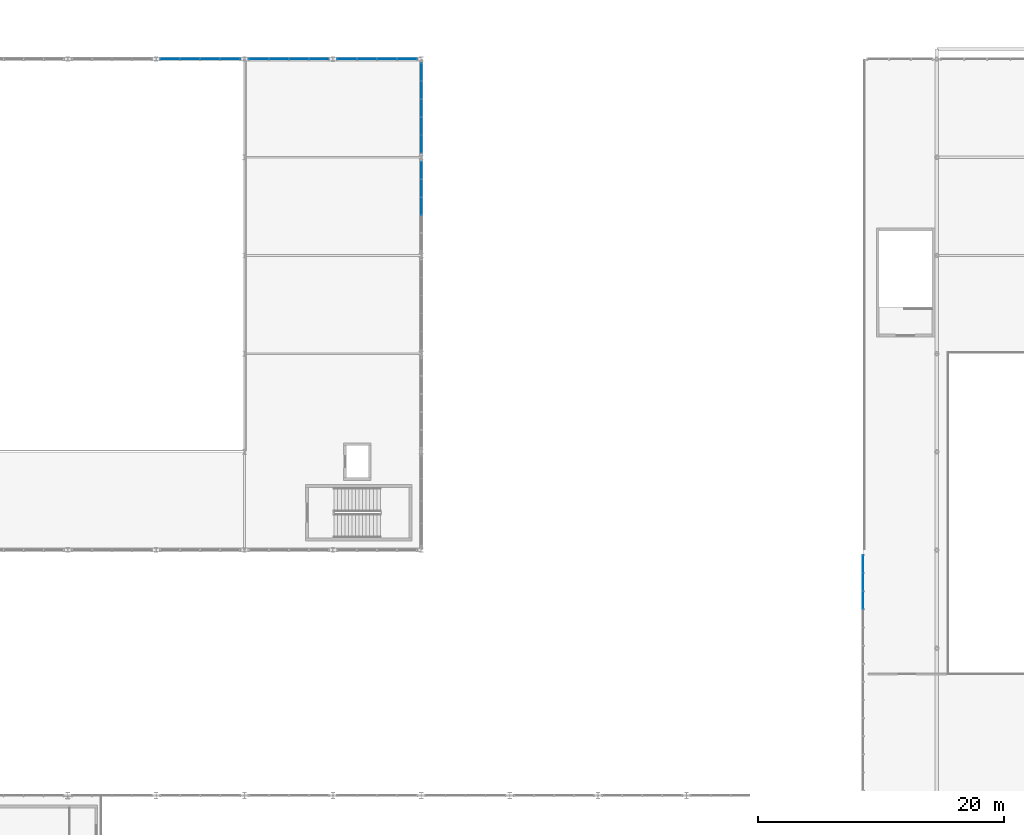
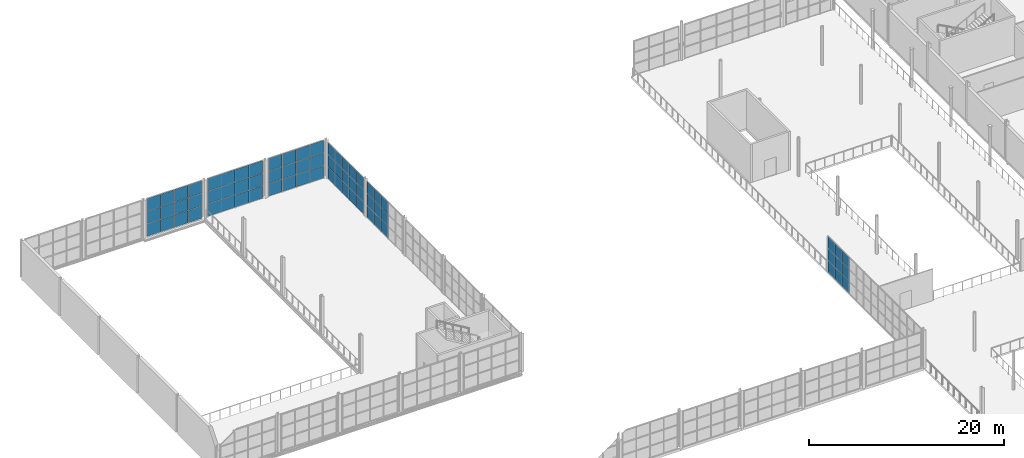
# One storey, part 113 of 143: 69 plates, 6 elements without a shape of their own.
"""IFC4 building model written with IfcOpenShell, lengths in metres."""

from ifc_helpers import new_model, si_unit, derived_unit, direction, frame, origin, origin_2d, place, context, subcontext, project, spatial, rectangle, extrude, material, layer, layer_set, type_object, element, aggregate, save


model = new_model("IFC4")

# Units and contexts
model_context = context("Model", 3, precision=1e-05, world=origin(), true_north=direction((0.0, 1.0)))
body_context = subcontext(model_context, "Body", "Model", "MODEL_VIEW")
ifc_project = project(units=[si_unit("LENGTHUNIT", "METRE"), si_unit("AREAUNIT", "SQUARE_METRE"), si_unit("VOLUMEUNIT", "CUBIC_METRE"), si_unit("PLANEANGLEUNIT", "RADIAN"), si_unit("MASSUNIT", "GRAM", prefix="KILO"), derived_unit("THERMALTRANSMITTANCEUNIT", [(si_unit("POWERUNIT", "WATT"), 1), (si_unit("LENGTHUNIT", "METRE"), -2), (si_unit("THERMODYNAMICTEMPERATUREUNIT", "KELVIN"), -1)])], contexts=[model_context])

# Site, building, storey
site_placement = place(None, origin())
site = spatial("IfcSite", under=ifc_project, at=site_placement, CompositionType="ELEMENT")
building_placement = place(site_placement, origin())
building = spatial("IfcBuilding", under=site, at=building_placement, Name="Keldorne Ridge Multi-Sports Centre", CompositionType="ELEMENT")
storey_placement = place(building_placement, frame((0.0, 0.0, 4.800048828125)))
storey = spatial("IfcBuildingStorey", under=building, at=storey_placement, Name="L01", CompositionType="ELEMENT", Elevation=4.800048828125)

# Curtain wall, plates
ifc_material_1 = material(Name="Anodized aluminium", Category="aluminium")
curtain_wall_type_1 = type_object("IfcCurtainWallType", Name="CW-CW-04", PredefinedType="NOTDEFINED", material=ifc_material_1)
curtain_wall_1_placement = place(storey_placement, origin())
curtain_wall_1 = element("IfcCurtainWall", 1, at=curtain_wall_1_placement, inside=storey, type_object=curtain_wall_type_1, Name="Climbing east courtyard glazing L01 068", PredefinedType="NOTDEFINED")
ifc_material_2 = material(Name="Double low-e insulated glazing", Category="glass")
ifc_layer_1 = layer(ifc_material_2, 0.035888671875)
ifc_layer_set_1 = layer_set([ifc_layer_1])
plate_type_1 = type_object("IfcPlateType", Name="PLT-GL-01", PredefinedType="CURTAIN_PANEL", material=ifc_layer_set_1)
plate_1_placement = place(storey_placement, frame((42.0, 102.0, 0.02001953125), z_axis=(0.0, 0.0, 1.0), x_axis=(0.0, 1.0, 0.0)))
plate_1 = element("IfcPlate", 2, at=plate_1_placement, type_object=plate_type_1, Name="CW-068 glazed panel 3.1", PredefinedType="CURTAIN_PANEL", context=body_context, shape_type="SweptSolid", body=[
    extrude(rectangle(XDim=1.424072265625, YDim=0.035888671875, at=origin_2d()), origin(), (0.0, 0.0, 1.0), 1.476806640625),
])
plate_2_placement = place(storey_placement, frame((42.0, 102.0, 1.53662109375), z_axis=(0.0, 0.0, 1.0), x_axis=(0.0, 1.0, 0.0)))
plate_2 = element("IfcPlate", 3, at=plate_2_placement, type_object=plate_type_1, Name="CW-068 glazed panel 3.2", PredefinedType="CURTAIN_PANEL", context=body_context, shape_type="SweptSolid", body=[
    extrude(rectangle(XDim=1.424072265625, YDim=0.035888671875, at=origin_2d()), origin(), (0.0, 0.0, 1.0), 1.476806640625),
])
plate_3_placement = place(storey_placement, frame((42.0, 102.0, 3.05322265625), z_axis=(0.0, 0.0, 1.0), x_axis=(0.0, 1.0, 0.0)))
plate_3 = element("IfcPlate", 4, at=plate_3_placement, type_object=plate_type_1, Name="CW-068 glazed panel 3.3", PredefinedType="CURTAIN_PANEL", context=body_context, shape_type="SweptSolid", body=[
    extrude(rectangle(XDim=1.424072265625, YDim=0.035888671875, at=origin_2d()), origin(), (0.0, 0.0, 1.0), 1.476806640625),
])
plate_4_placement = place(storey_placement, frame((42.0, 103.464111328125, 0.02001953125), z_axis=(0.0, 0.0, 1.0), x_axis=(0.0, 1.0, 0.0)))
plate_4 = element("IfcPlate", 5, at=plate_4_placement, type_object=plate_type_1, Name="CW-068 glazed panel 4.1", PredefinedType="CURTAIN_PANEL", context=body_context, shape_type="SweptSolid", body=[
    extrude(rectangle(XDim=1.424072265625, YDim=0.035888671875, at=origin_2d()), origin(), (0.0, 0.0, 1.0), 1.476806640625),
])
plate_5_placement = place(storey_placement, frame((42.0, 103.464111328125, 1.53662109375), z_axis=(0.0, 0.0, 1.0), x_axis=(0.0, 1.0, 0.0)))
plate_5 = element("IfcPlate", 6, at=plate_5_placement, type_object=plate_type_1, Name="CW-068 glazed panel 4.2", PredefinedType="CURTAIN_PANEL", context=body_context, shape_type="SweptSolid", body=[
    extrude(rectangle(XDim=1.424072265625, YDim=0.035888671875, at=origin_2d()), origin(), (0.0, 0.0, 1.0), 1.476806640625),
])
plate_6_placement = place(storey_placement, frame((42.0, 103.464111328125, 3.05322265625), z_axis=(0.0, 0.0, 1.0), x_axis=(0.0, 1.0, 0.0)))
plate_6 = element("IfcPlate", 7, at=plate_6_placement, type_object=plate_type_1, Name="CW-068 glazed panel 4.3", PredefinedType="CURTAIN_PANEL", context=body_context, shape_type="SweptSolid", body=[
    extrude(rectangle(XDim=1.424072265625, YDim=0.035888671875, at=origin_2d()), origin(), (0.0, 0.0, 1.0), 1.476806640625),
])
plate_7_placement = place(storey_placement, frame((42.0, 104.927978515625, 0.02001953125), z_axis=(0.0, 0.0, 1.0), x_axis=(0.0, 1.0, 0.0)))
plate_7 = element("IfcPlate", 8, at=plate_7_placement, type_object=plate_type_1, Name="CW-068 glazed panel 5.1", PredefinedType="CURTAIN_PANEL", context=body_context, shape_type="SweptSolid", body=[
    extrude(rectangle(XDim=1.424072265625, YDim=0.035888671875, at=origin_2d()), origin(), (0.0, 0.0, 1.0), 1.476806640625),
])
plate_8_placement = place(storey_placement, frame((42.0, 104.927978515625, 1.53662109375), z_axis=(0.0, 0.0, 1.0), x_axis=(0.0, 1.0, 0.0)))
plate_8 = element("IfcPlate", 9, at=plate_8_placement, type_object=plate_type_1, Name="CW-068 glazed panel 5.2", PredefinedType="CURTAIN_PANEL", context=body_context, shape_type="SweptSolid", body=[
    extrude(rectangle(XDim=1.424072265625, YDim=0.035888671875, at=origin_2d()), origin(), (0.0, 0.0, 1.0), 1.476806640625),
])
plate_9_placement = place(storey_placement, frame((42.0, 104.927978515625, 3.05322265625), z_axis=(0.0, 0.0, 1.0), x_axis=(0.0, 1.0, 0.0)))
plate_9 = element("IfcPlate", 10, at=plate_9_placement, type_object=plate_type_1, Name="CW-068 glazed panel 5.3", PredefinedType="CURTAIN_PANEL", context=body_context, shape_type="SweptSolid", body=[
    extrude(rectangle(XDim=1.424072265625, YDim=0.035888671875, at=origin_2d()), origin(), (0.0, 0.0, 1.0), 1.476806640625),
])
aggregate(curtain_wall_1, [plate_1, plate_2, plate_3, plate_4, plate_5, plate_6, plate_7, plate_8, plate_9])

curtain_wall_type_2 = type_object("IfcCurtainWallType", Name="CW-CW-07", PredefinedType="NOTDEFINED", material=ifc_material_1)
curtain_wall_2_placement = place(storey_placement, origin())
curtain_wall_2 = element("IfcCurtainWall", 11, at=curtain_wall_2_placement, inside=storey, type_object=curtain_wall_type_2, Name="Climbing east courtyard glazing L01 071", PredefinedType="NOTDEFINED")
plate_10_placement = place(storey_placement, frame((42.0, 107.072021484375, 0.02001953125), z_axis=(0.0, 0.0, 1.0), x_axis=(0.0, 1.0, 0.0)))
plate_10 = element("IfcPlate", 12, at=plate_10_placement, type_object=plate_type_1, Name="CW-071 glazed panel 1.1", PredefinedType="CURTAIN_PANEL", context=body_context, shape_type="SweptSolid", body=[
    extrude(rectangle(XDim=1.424072265625, YDim=0.035888671875, at=origin_2d()), origin(), (0.0, 0.0, 1.0), 1.476806640625),
])
plate_11_placement = place(storey_placement, frame((42.0, 107.072021484375, 1.53662109375), z_axis=(0.0, 0.0, 1.0), x_axis=(0.0, 1.0, 0.0)))
plate_11 = element("IfcPlate", 13, at=plate_11_placement, type_object=plate_type_1, Name="CW-071 glazed panel 1.2", PredefinedType="CURTAIN_PANEL", context=body_context, shape_type="SweptSolid", body=[
    extrude(rectangle(XDim=1.424072265625, YDim=0.035888671875, at=origin_2d()), origin(), (0.0, 0.0, 1.0), 1.476806640625),
])
plate_12_placement = place(storey_placement, frame((42.0, 107.072021484375, 3.05322265625), z_axis=(0.0, 0.0, 1.0), x_axis=(0.0, 1.0, 0.0)))
plate_12 = element("IfcPlate", 14, at=plate_12_placement, type_object=plate_type_1, Name="CW-071 glazed panel 1.3", PredefinedType="CURTAIN_PANEL", context=body_context, shape_type="SweptSolid", body=[
    extrude(rectangle(XDim=1.424072265625, YDim=0.035888671875, at=origin_2d()), origin(), (0.0, 0.0, 1.0), 1.476806640625),
])
plate_13_placement = place(storey_placement, frame((42.0, 108.535888671875, 0.02001953125), z_axis=(0.0, 0.0, 1.0), x_axis=(0.0, 1.0, 0.0)))
plate_13 = element("IfcPlate", 15, at=plate_13_placement, type_object=plate_type_1, Name="CW-071 glazed panel 2.1", PredefinedType="CURTAIN_PANEL", context=body_context, shape_type="SweptSolid", body=[
    extrude(rectangle(XDim=1.424072265625, YDim=0.035888671875, at=origin_2d()), origin(), (0.0, 0.0, 1.0), 1.476806640625),
])
plate_14_placement = place(storey_placement, frame((42.0, 108.535888671875, 1.53662109375), z_axis=(0.0, 0.0, 1.0), x_axis=(0.0, 1.0, 0.0)))
plate_14 = element("IfcPlate", 16, at=plate_14_placement, type_object=plate_type_1, Name="CW-071 glazed panel 2.2", PredefinedType="CURTAIN_PANEL", context=body_context, shape_type="SweptSolid", body=[
    extrude(rectangle(XDim=1.424072265625, YDim=0.035888671875, at=origin_2d()), origin(), (0.0, 0.0, 1.0), 1.476806640625),
])
plate_15_placement = place(storey_placement, frame((42.0, 108.535888671875, 3.05322265625), z_axis=(0.0, 0.0, 1.0), x_axis=(0.0, 1.0, 0.0)))
plate_15 = element("IfcPlate", 17, at=plate_15_placement, type_object=plate_type_1, Name="CW-071 glazed panel 2.3", PredefinedType="CURTAIN_PANEL", context=body_context, shape_type="SweptSolid", body=[
    extrude(rectangle(XDim=1.424072265625, YDim=0.035888671875, at=origin_2d()), origin(), (0.0, 0.0, 1.0), 1.476806640625),
])
plate_16_placement = place(storey_placement, frame((42.0, 110.0, 0.02001953125), z_axis=(0.0, 0.0, 1.0), x_axis=(0.0, 1.0, 0.0)))
plate_16 = element("IfcPlate", 18, at=plate_16_placement, type_object=plate_type_1, Name="CW-071 glazed panel 3.1", PredefinedType="CURTAIN_PANEL", context=body_context, shape_type="SweptSolid", body=[
    extrude(rectangle(XDim=1.424072265625, YDim=0.035888671875, at=origin_2d()), origin(), (0.0, 0.0, 1.0), 1.476806640625),
])
plate_17_placement = place(storey_placement, frame((42.0, 110.0, 1.53662109375), z_axis=(0.0, 0.0, 1.0), x_axis=(0.0, 1.0, 0.0)))
plate_17 = element("IfcPlate", 19, at=plate_17_placement, type_object=plate_type_1, Name="CW-071 glazed panel 3.2", PredefinedType="CURTAIN_PANEL", context=body_context, shape_type="SweptSolid", body=[
    extrude(rectangle(XDim=1.424072265625, YDim=0.035888671875, at=origin_2d()), origin(), (0.0, 0.0, 1.0), 1.476806640625),
])
plate_18_placement = place(storey_placement, frame((42.0, 110.0, 3.05322265625), z_axis=(0.0, 0.0, 1.0), x_axis=(0.0, 1.0, 0.0)))
plate_18 = element("IfcPlate", 20, at=plate_18_placement, type_object=plate_type_1, Name="CW-071 glazed panel 3.3", PredefinedType="CURTAIN_PANEL", context=body_context, shape_type="SweptSolid", body=[
    extrude(rectangle(XDim=1.424072265625, YDim=0.035888671875, at=origin_2d()), origin(), (0.0, 0.0, 1.0), 1.476806640625),
])
plate_19_placement = place(storey_placement, frame((42.0, 111.464111328125, 0.02001953125), z_axis=(0.0, 0.0, 1.0), x_axis=(0.0, 1.0, 0.0)))
plate_19 = element("IfcPlate", 21, at=plate_19_placement, type_object=plate_type_1, Name="CW-071 glazed panel 4.1", PredefinedType="CURTAIN_PANEL", context=body_context, shape_type="SweptSolid", body=[
    extrude(rectangle(XDim=1.424072265625, YDim=0.035888671875, at=origin_2d()), origin(), (0.0, 0.0, 1.0), 1.476806640625),
])
plate_20_placement = place(storey_placement, frame((42.0, 111.464111328125, 1.53662109375), z_axis=(0.0, 0.0, 1.0), x_axis=(0.0, 1.0, 0.0)))
plate_20 = element("IfcPlate", 22, at=plate_20_placement, type_object=plate_type_1, Name="CW-071 glazed panel 4.2", PredefinedType="CURTAIN_PANEL", context=body_context, shape_type="SweptSolid", body=[
    extrude(rectangle(XDim=1.424072265625, YDim=0.035888671875, at=origin_2d()), origin(), (0.0, 0.0, 1.0), 1.476806640625),
])
plate_21_placement = place(storey_placement, frame((42.0, 111.464111328125, 3.05322265625), z_axis=(0.0, 0.0, 1.0), x_axis=(0.0, 1.0, 0.0)))
plate_21 = element("IfcPlate", 23, at=plate_21_placement, type_object=plate_type_1, Name="CW-071 glazed panel 4.3", PredefinedType="CURTAIN_PANEL", context=body_context, shape_type="SweptSolid", body=[
    extrude(rectangle(XDim=1.424072265625, YDim=0.035888671875, at=origin_2d()), origin(), (0.0, 0.0, 1.0), 1.476806640625),
])
plate_22_placement = place(storey_placement, frame((42.0, 112.927978515625, 0.02001953125), z_axis=(0.0, 0.0, 1.0), x_axis=(0.0, 1.0, 0.0)))
plate_22 = element("IfcPlate", 24, at=plate_22_placement, type_object=plate_type_1, Name="CW-071 glazed panel 5.1", PredefinedType="CURTAIN_PANEL", context=body_context, shape_type="SweptSolid", body=[
    extrude(rectangle(XDim=1.424072265625, YDim=0.035888671875, at=origin_2d()), origin(), (0.0, 0.0, 1.0), 1.476806640625),
])
plate_23_placement = place(storey_placement, frame((42.0, 112.927978515625, 1.53662109375), z_axis=(0.0, 0.0, 1.0), x_axis=(0.0, 1.0, 0.0)))
plate_23 = element("IfcPlate", 25, at=plate_23_placement, type_object=plate_type_1, Name="CW-071 glazed panel 5.2", PredefinedType="CURTAIN_PANEL", context=body_context, shape_type="SweptSolid", body=[
    extrude(rectangle(XDim=1.424072265625, YDim=0.035888671875, at=origin_2d()), origin(), (0.0, 0.0, 1.0), 1.476806640625),
])
plate_24_placement = place(storey_placement, frame((42.0, 112.927978515625, 3.05322265625), z_axis=(0.0, 0.0, 1.0), x_axis=(0.0, 1.0, 0.0)))
plate_24 = element("IfcPlate", 26, at=plate_24_placement, type_object=plate_type_1, Name="CW-071 glazed panel 5.3", PredefinedType="CURTAIN_PANEL", context=body_context, shape_type="SweptSolid", body=[
    extrude(rectangle(XDim=1.424072265625, YDim=0.035888671875, at=origin_2d()), origin(), (0.0, 0.0, 1.0), 1.476806640625),
])
aggregate(curtain_wall_2, [plate_10, plate_11, plate_12, plate_13, plate_14, plate_15, plate_16, plate_17, plate_18, plate_19, plate_20, plate_21, plate_22, plate_23, plate_24])

curtain_wall_3_placement = place(storey_placement, origin())
curtain_wall_3 = element("IfcCurtainWall", 27, at=curtain_wall_3_placement, inside=storey, type_object=curtain_wall_type_1, Name="Passage west courtyard curtain wall L01 084", PredefinedType="NOTDEFINED")
plate_25_placement = place(storey_placement, frame((78.0, 72.861572265625, 0.02001953125), z_axis=(0.0, 0.0, 1.0), x_axis=(0.0, -1.0, 0.0)))
plate_25 = element("IfcPlate", 28, at=plate_25_placement, type_object=plate_type_1, Name="CW-084 glazed panel 1.1", PredefinedType="CURTAIN_PANEL", context=body_context, shape_type="SweptSolid", body=[
    extrude(rectangle(XDim=1.43701171875, YDim=0.035888671875, at=origin_2d()), origin(), (0.0, 0.0, 1.0), 1.4599609375),
])
plate_26_placement = place(storey_placement, frame((78.0, 72.861572265625, 1.52001953125), z_axis=(0.0, 0.0, 1.0), x_axis=(0.0, -1.0, 0.0)))
plate_26 = element("IfcPlate", 29, at=plate_26_placement, type_object=plate_type_1, Name="CW-084 glazed panel 1.2", PredefinedType="CURTAIN_PANEL", context=body_context, shape_type="SweptSolid", body=[
    extrude(rectangle(XDim=1.43701171875, YDim=0.035888671875, at=origin_2d()), origin(), (0.0, 0.0, 1.0), 1.4599609375),
])
plate_27_placement = place(storey_placement, frame((78.0, 72.861572265625, 3.02001953125), z_axis=(0.0, 0.0, 1.0), x_axis=(0.0, -1.0, 0.0)))
plate_27 = element("IfcPlate", 30, at=plate_27_placement, type_object=plate_type_1, Name="CW-084 glazed panel 1.3", PredefinedType="CURTAIN_PANEL", context=body_context, shape_type="SweptSolid", body=[
    extrude(rectangle(XDim=1.43701171875, YDim=0.035888671875, at=origin_2d()), origin(), (0.0, 0.0, 1.0), 1.4599609375),
])
plate_28_placement = place(storey_placement, frame((78.0, 71.384521484375, 0.02001953125), z_axis=(0.0, 0.0, 1.0), x_axis=(0.0, -1.0, 0.0)))
plate_28 = element("IfcPlate", 31, at=plate_28_placement, type_object=plate_type_1, Name="CW-084 glazed panel 2.1", PredefinedType="CURTAIN_PANEL", context=body_context, shape_type="SweptSolid", body=[
    extrude(rectangle(XDim=1.43701171875, YDim=0.035888671875, at=origin_2d()), origin(), (0.0, 0.0, 1.0), 1.4599609375),
])
plate_29_placement = place(storey_placement, frame((78.0, 71.384521484375, 1.52001953125), z_axis=(0.0, 0.0, 1.0), x_axis=(0.0, -1.0, 0.0)))
plate_29 = element("IfcPlate", 32, at=plate_29_placement, type_object=plate_type_1, Name="CW-084 glazed panel 2.2", PredefinedType="CURTAIN_PANEL", context=body_context, shape_type="SweptSolid", body=[
    extrude(rectangle(XDim=1.43701171875, YDim=0.035888671875, at=origin_2d()), origin(), (0.0, 0.0, 1.0), 1.4599609375),
])
plate_30_placement = place(storey_placement, frame((78.0, 71.384521484375, 3.02001953125), z_axis=(0.0, 0.0, 1.0), x_axis=(0.0, -1.0, 0.0)))
plate_30 = element("IfcPlate", 33, at=plate_30_placement, type_object=plate_type_1, Name="CW-084 glazed panel 2.3", PredefinedType="CURTAIN_PANEL", context=body_context, shape_type="SweptSolid", body=[
    extrude(rectangle(XDim=1.43701171875, YDim=0.035888671875, at=origin_2d()), origin(), (0.0, 0.0, 1.0), 1.4599609375),
])
plate_31_placement = place(storey_placement, frame((78.0, 69.90771484375, 0.02001953125), z_axis=(0.0, 0.0, 1.0), x_axis=(0.0, -1.0, 0.0)))
plate_31 = element("IfcPlate", 34, at=plate_31_placement, type_object=plate_type_1, Name="CW-084 glazed panel 3.1", PredefinedType="CURTAIN_PANEL", context=body_context, shape_type="SweptSolid", body=[
    extrude(rectangle(XDim=1.43701171875, YDim=0.035888671875, at=origin_2d()), origin(), (0.0, 0.0, 1.0), 1.4599609375),
])
plate_32_placement = place(storey_placement, frame((78.0, 69.90771484375, 1.52001953125), z_axis=(0.0, 0.0, 1.0), x_axis=(0.0, -1.0, 0.0)))
plate_32 = element("IfcPlate", 35, at=plate_32_placement, type_object=plate_type_1, Name="CW-084 glazed panel 3.2", PredefinedType="CURTAIN_PANEL", context=body_context, shape_type="SweptSolid", body=[
    extrude(rectangle(XDim=1.43701171875, YDim=0.035888671875, at=origin_2d()), origin(), (0.0, 0.0, 1.0), 1.4599609375),
])
plate_33_placement = place(storey_placement, frame((78.0, 69.90771484375, 3.02001953125), z_axis=(0.0, 0.0, 1.0), x_axis=(0.0, -1.0, 0.0)))
plate_33 = element("IfcPlate", 36, at=plate_33_placement, type_object=plate_type_1, Name="CW-084 glazed panel 3.3", PredefinedType="CURTAIN_PANEL", context=body_context, shape_type="SweptSolid", body=[
    extrude(rectangle(XDim=1.43701171875, YDim=0.035888671875, at=origin_2d()), origin(), (0.0, 0.0, 1.0), 1.4599609375),
])
aggregate(curtain_wall_3, [plate_25, plate_26, plate_27, plate_28, plate_29, plate_30, plate_31, plate_32, plate_33])

curtain_wall_type_3 = type_object("IfcCurtainWallType", Name="CW-CW-06", PredefinedType="NOTDEFINED", material=ifc_material_1)
curtain_wall_4_placement = place(storey_placement, origin())
curtain_wall_4 = element("IfcCurtainWall", 37, at=curtain_wall_4_placement, inside=storey, type_object=curtain_wall_type_3, Name="Climbing north glazing L01 046", PredefinedType="NOTDEFINED")
ifc_material_3 = material(Name="Triple acoustic low-e glazing", Category="glass")
ifc_layer_2 = layer(ifc_material_3, 0.0439453125)
ifc_layer_set_2 = layer_set([ifc_layer_2])
plate_type_2 = type_object("IfcPlateType", Name="PLT-GL-02", PredefinedType="CURTAIN_PANEL", material=ifc_layer_set_2)
plate_34_placement = place(storey_placement, frame((26.445068359375, 114.0, 0.02001953125), z_axis=(0.0, 0.0, 1.0), x_axis=(-1.0, 0.0, 0.0)))
plate_34 = element("IfcPlate", 38, at=plate_34_placement, type_object=plate_type_2, Name="CW-046 glazed panel 1.1", PredefinedType="CURTAIN_PANEL", context=body_context, shape_type="SweptSolid", body=[
    extrude(rectangle(XDim=1.590087890625, YDim=0.0439453125, at=origin_2d()), origin(), (0.0, 0.0, 1.0), 1.543212890625),
])
plate_35_placement = place(storey_placement, frame((26.445068359375, 114.0, 1.603515625), z_axis=(0.0, 0.0, 1.0), x_axis=(-1.0, 0.0, 0.0)))
plate_35 = element("IfcPlate", 39, at=plate_35_placement, type_object=plate_type_2, Name="CW-046 glazed panel 1.2", PredefinedType="CURTAIN_PANEL", context=body_context, shape_type="SweptSolid", body=[
    extrude(rectangle(XDim=1.590087890625, YDim=0.0439453125, at=origin_2d()), origin(), (0.0, 0.0, 1.0), 1.543212890625),
])
plate_36_placement = place(storey_placement, frame((26.445068359375, 114.0, 3.1865234375), z_axis=(0.0, 0.0, 1.0), x_axis=(-1.0, 0.0, 0.0)))
plate_36 = element("IfcPlate", 40, at=plate_36_placement, type_object=plate_type_2, Name="CW-046 glazed panel 1.3", PredefinedType="CURTAIN_PANEL", context=body_context, shape_type="SweptSolid", body=[
    extrude(rectangle(XDim=1.590087890625, YDim=0.0439453125, at=origin_2d()), origin(), (0.0, 0.0, 1.0), 1.543212890625),
])
plate_37_placement = place(storey_placement, frame((24.81494140625, 114.0, 0.02001953125), z_axis=(0.0, 0.0, 1.0), x_axis=(-1.0, 0.0, 0.0)))
plate_37 = element("IfcPlate", 41, at=plate_37_placement, type_object=plate_type_2, Name="CW-046 glazed panel 2.1", PredefinedType="CURTAIN_PANEL", context=body_context, shape_type="SweptSolid", body=[
    extrude(rectangle(XDim=1.590087890625, YDim=0.0439453125, at=origin_2d()), origin(), (0.0, 0.0, 1.0), 1.543212890625),
])
plate_38_placement = place(storey_placement, frame((24.81494140625, 114.0, 1.603515625), z_axis=(0.0, 0.0, 1.0), x_axis=(-1.0, 0.0, 0.0)))
plate_38 = element("IfcPlate", 42, at=plate_38_placement, type_object=plate_type_2, Name="CW-046 glazed panel 2.2", PredefinedType="CURTAIN_PANEL", context=body_context, shape_type="SweptSolid", body=[
    extrude(rectangle(XDim=1.590087890625, YDim=0.0439453125, at=origin_2d()), origin(), (0.0, 0.0, 1.0), 1.543212890625),
])
plate_39_placement = place(storey_placement, frame((24.81494140625, 114.0, 3.1865234375), z_axis=(0.0, 0.0, 1.0), x_axis=(-1.0, 0.0, 0.0)))
plate_39 = element("IfcPlate", 43, at=plate_39_placement, type_object=plate_type_2, Name="CW-046 glazed panel 2.3", PredefinedType="CURTAIN_PANEL", context=body_context, shape_type="SweptSolid", body=[
    extrude(rectangle(XDim=1.590087890625, YDim=0.0439453125, at=origin_2d()), origin(), (0.0, 0.0, 1.0), 1.543212890625),
])
plate_40_placement = place(storey_placement, frame((23.18505859375, 114.0, 0.02001953125), z_axis=(0.0, 0.0, 1.0), x_axis=(-1.0, 0.0, 0.0)))
plate_40 = element("IfcPlate", 44, at=plate_40_placement, type_object=plate_type_2, Name="CW-046 glazed panel 3.1", PredefinedType="CURTAIN_PANEL", context=body_context, shape_type="SweptSolid", body=[
    extrude(rectangle(XDim=1.590087890625, YDim=0.0439453125, at=origin_2d()), origin(), (0.0, 0.0, 1.0), 1.543212890625),
])
plate_41_placement = place(storey_placement, frame((23.18505859375, 114.0, 1.603515625), z_axis=(0.0, 0.0, 1.0), x_axis=(-1.0, 0.0, 0.0)))
plate_41 = element("IfcPlate", 45, at=plate_41_placement, type_object=plate_type_2, Name="CW-046 glazed panel 3.2", PredefinedType="CURTAIN_PANEL", context=body_context, shape_type="SweptSolid", body=[
    extrude(rectangle(XDim=1.590087890625, YDim=0.0439453125, at=origin_2d()), origin(), (0.0, 0.0, 1.0), 1.543212890625),
])
plate_42_placement = place(storey_placement, frame((23.18505859375, 114.0, 3.1865234375), z_axis=(0.0, 0.0, 1.0), x_axis=(-1.0, 0.0, 0.0)))
plate_42 = element("IfcPlate", 46, at=plate_42_placement, type_object=plate_type_2, Name="CW-046 glazed panel 3.3", PredefinedType="CURTAIN_PANEL", context=body_context, shape_type="SweptSolid", body=[
    extrude(rectangle(XDim=1.590087890625, YDim=0.0439453125, at=origin_2d()), origin(), (0.0, 0.0, 1.0), 1.543212890625),
])
plate_43_placement = place(storey_placement, frame((21.554931640625, 114.0, 0.02001953125), z_axis=(0.0, 0.0, 1.0), x_axis=(-1.0, 0.0, 0.0)))
plate_43 = element("IfcPlate", 47, at=plate_43_placement, type_object=plate_type_2, Name="CW-046 glazed panel 4.1", PredefinedType="CURTAIN_PANEL", context=body_context, shape_type="SweptSolid", body=[
    extrude(rectangle(XDim=1.590087890625, YDim=0.0439453125, at=origin_2d()), origin(), (0.0, 0.0, 1.0), 1.543212890625),
])
plate_44_placement = place(storey_placement, frame((21.554931640625, 114.0, 1.603515625), z_axis=(0.0, 0.0, 1.0), x_axis=(-1.0, 0.0, 0.0)))
plate_44 = element("IfcPlate", 48, at=plate_44_placement, type_object=plate_type_2, Name="CW-046 glazed panel 4.2", PredefinedType="CURTAIN_PANEL", context=body_context, shape_type="SweptSolid", body=[
    extrude(rectangle(XDim=1.590087890625, YDim=0.0439453125, at=origin_2d()), origin(), (0.0, 0.0, 1.0), 1.543212890625),
])
plate_45_placement = place(storey_placement, frame((21.554931640625, 114.0, 3.1865234375), z_axis=(0.0, 0.0, 1.0), x_axis=(-1.0, 0.0, 0.0)))
plate_45 = element("IfcPlate", 49, at=plate_45_placement, type_object=plate_type_2, Name="CW-046 glazed panel 4.3", PredefinedType="CURTAIN_PANEL", context=body_context, shape_type="SweptSolid", body=[
    extrude(rectangle(XDim=1.590087890625, YDim=0.0439453125, at=origin_2d()), origin(), (0.0, 0.0, 1.0), 1.543212890625),
])
aggregate(curtain_wall_4, [plate_34, plate_35, plate_36, plate_37, plate_38, plate_39, plate_40, plate_41, plate_42, plate_43, plate_44, plate_45])

curtain_wall_type_4 = type_object("IfcCurtainWallType", Name="CW-CW-02", PredefinedType="NOTDEFINED", material=ifc_material_1)
curtain_wall_5_placement = place(storey_placement, origin())
curtain_wall_5 = element("IfcCurtainWall", 50, at=curtain_wall_5_placement, inside=storey, type_object=curtain_wall_type_4, Name="Climbing north glazing L01 050", PredefinedType="NOTDEFINED")
plate_46_placement = place(storey_placement, frame((33.64501953125, 114.0, 0.02001953125), z_axis=(0.0, 0.0, 1.0), x_axis=(-1.0, 0.0, 0.0)))
plate_46 = element("IfcPlate", 51, at=plate_46_placement, type_object=plate_type_2, Name="CW-050 glazed panel 1.1", PredefinedType="CURTAIN_PANEL", context=body_context, shape_type="SweptSolid", body=[
    extrude(rectangle(XDim=1.590087890625, YDim=0.0439453125, at=origin_2d()), origin(), (0.0, 0.0, 1.0), 1.543212890625),
])
plate_47_placement = place(storey_placement, frame((33.64501953125, 114.0, 1.603515625), z_axis=(0.0, 0.0, 1.0), x_axis=(-1.0, 0.0, 0.0)))
plate_47 = element("IfcPlate", 52, at=plate_47_placement, type_object=plate_type_2, Name="CW-050 glazed panel 1.2", PredefinedType="CURTAIN_PANEL", context=body_context, shape_type="SweptSolid", body=[
    extrude(rectangle(XDim=1.590087890625, YDim=0.0439453125, at=origin_2d()), origin(), (0.0, 0.0, 1.0), 1.543212890625),
])
plate_48_placement = place(storey_placement, frame((33.64501953125, 114.0, 3.1865234375), z_axis=(0.0, 0.0, 1.0), x_axis=(-1.0, 0.0, 0.0)))
plate_48 = element("IfcPlate", 53, at=plate_48_placement, type_object=plate_type_2, Name="CW-050 glazed panel 1.3", PredefinedType="CURTAIN_PANEL", context=body_context, shape_type="SweptSolid", body=[
    extrude(rectangle(XDim=1.590087890625, YDim=0.0439453125, at=origin_2d()), origin(), (0.0, 0.0, 1.0), 1.543212890625),
])
plate_49_placement = place(storey_placement, frame((32.014892578125, 114.0, 0.02001953125), z_axis=(0.0, 0.0, 1.0), x_axis=(-1.0, 0.0, 0.0)))
plate_49 = element("IfcPlate", 54, at=plate_49_placement, type_object=plate_type_2, Name="CW-050 glazed panel 2.1", PredefinedType="CURTAIN_PANEL", context=body_context, shape_type="SweptSolid", body=[
    extrude(rectangle(XDim=1.590087890625, YDim=0.0439453125, at=origin_2d()), origin(), (0.0, 0.0, 1.0), 1.543212890625),
])
plate_50_placement = place(storey_placement, frame((32.014892578125, 114.0, 1.603515625), z_axis=(0.0, 0.0, 1.0), x_axis=(-1.0, 0.0, 0.0)))
plate_50 = element("IfcPlate", 55, at=plate_50_placement, type_object=plate_type_2, Name="CW-050 glazed panel 2.2", PredefinedType="CURTAIN_PANEL", context=body_context, shape_type="SweptSolid", body=[
    extrude(rectangle(XDim=1.590087890625, YDim=0.0439453125, at=origin_2d()), origin(), (0.0, 0.0, 1.0), 1.543212890625),
])
plate_51_placement = place(storey_placement, frame((32.014892578125, 114.0, 3.1865234375), z_axis=(0.0, 0.0, 1.0), x_axis=(-1.0, 0.0, 0.0)))
plate_51 = element("IfcPlate", 56, at=plate_51_placement, type_object=plate_type_2, Name="CW-050 glazed panel 2.3", PredefinedType="CURTAIN_PANEL", context=body_context, shape_type="SweptSolid", body=[
    extrude(rectangle(XDim=1.590087890625, YDim=0.0439453125, at=origin_2d()), origin(), (0.0, 0.0, 1.0), 1.543212890625),
])
plate_52_placement = place(storey_placement, frame((30.385009765625, 114.0, 0.02001953125), z_axis=(0.0, 0.0, 1.0), x_axis=(-1.0, 0.0, 0.0)))
plate_52 = element("IfcPlate", 57, at=plate_52_placement, type_object=plate_type_2, Name="CW-050 glazed panel 3.1", PredefinedType="CURTAIN_PANEL", context=body_context, shape_type="SweptSolid", body=[
    extrude(rectangle(XDim=1.590087890625, YDim=0.0439453125, at=origin_2d()), origin(), (0.0, 0.0, 1.0), 1.543212890625),
])
plate_53_placement = place(storey_placement, frame((30.385009765625, 114.0, 1.603515625), z_axis=(0.0, 0.0, 1.0), x_axis=(-1.0, 0.0, 0.0)))
plate_53 = element("IfcPlate", 58, at=plate_53_placement, type_object=plate_type_2, Name="CW-050 glazed panel 3.2", PredefinedType="CURTAIN_PANEL", context=body_context, shape_type="SweptSolid", body=[
    extrude(rectangle(XDim=1.590087890625, YDim=0.0439453125, at=origin_2d()), origin(), (0.0, 0.0, 1.0), 1.543212890625),
])
plate_54_placement = place(storey_placement, frame((30.385009765625, 114.0, 3.1865234375), z_axis=(0.0, 0.0, 1.0), x_axis=(-1.0, 0.0, 0.0)))
plate_54 = element("IfcPlate", 59, at=plate_54_placement, type_object=plate_type_2, Name="CW-050 glazed panel 3.3", PredefinedType="CURTAIN_PANEL", context=body_context, shape_type="SweptSolid", body=[
    extrude(rectangle(XDim=1.590087890625, YDim=0.0439453125, at=origin_2d()), origin(), (0.0, 0.0, 1.0), 1.543212890625),
])
plate_55_placement = place(storey_placement, frame((28.7548828125, 114.0, 0.02001953125), z_axis=(0.0, 0.0, 1.0), x_axis=(-1.0, 0.0, 0.0)))
plate_55 = element("IfcPlate", 60, at=plate_55_placement, type_object=plate_type_2, Name="CW-050 glazed panel 4.1", PredefinedType="CURTAIN_PANEL", context=body_context, shape_type="SweptSolid", body=[
    extrude(rectangle(XDim=1.590087890625, YDim=0.0439453125, at=origin_2d()), origin(), (0.0, 0.0, 1.0), 1.543212890625),
])
plate_56_placement = place(storey_placement, frame((28.7548828125, 114.0, 1.603515625), z_axis=(0.0, 0.0, 1.0), x_axis=(-1.0, 0.0, 0.0)))
plate_56 = element("IfcPlate", 61, at=plate_56_placement, type_object=plate_type_2, Name="CW-050 glazed panel 4.2", PredefinedType="CURTAIN_PANEL", context=body_context, shape_type="SweptSolid", body=[
    extrude(rectangle(XDim=1.590087890625, YDim=0.0439453125, at=origin_2d()), origin(), (0.0, 0.0, 1.0), 1.543212890625),
])
plate_57_placement = place(storey_placement, frame((28.7548828125, 114.0, 3.1865234375), z_axis=(0.0, 0.0, 1.0), x_axis=(-1.0, 0.0, 0.0)))
plate_57 = element("IfcPlate", 62, at=plate_57_placement, type_object=plate_type_2, Name="CW-050 glazed panel 4.3", PredefinedType="CURTAIN_PANEL", context=body_context, shape_type="SweptSolid", body=[
    extrude(rectangle(XDim=1.590087890625, YDim=0.0439453125, at=origin_2d()), origin(), (0.0, 0.0, 1.0), 1.543212890625),
])
aggregate(curtain_wall_5, [plate_46, plate_47, plate_48, plate_49, plate_50, plate_51, plate_52, plate_53, plate_54, plate_55, plate_56, plate_57])

curtain_wall_type_5 = type_object("IfcCurtainWallType", Name="CW-CW-08", PredefinedType="NOTDEFINED", material=ifc_material_1)
curtain_wall_6_placement = place(storey_placement, origin())
curtain_wall_6 = element("IfcCurtainWall", 63, at=curtain_wall_6_placement, inside=storey, type_object=curtain_wall_type_5, Name="Climbing north glazing L01 056", PredefinedType="NOTDEFINED")
plate_58_placement = place(storey_placement, frame((40.844970703125, 114.0, 0.02001953125), z_axis=(0.0, 0.0, 1.0), x_axis=(-1.0, 0.0, 0.0)))
plate_58 = element("IfcPlate", 64, at=plate_58_placement, type_object=plate_type_2, Name="CW-056 glazed panel 1.1", PredefinedType="CURTAIN_PANEL", context=body_context, shape_type="SweptSolid", body=[
    extrude(rectangle(XDim=1.590087890625, YDim=0.0439453125, at=origin_2d()), origin(), (0.0, 0.0, 1.0), 1.543212890625),
])
plate_59_placement = place(storey_placement, frame((40.844970703125, 114.0, 1.603515625), z_axis=(0.0, 0.0, 1.0), x_axis=(-1.0, 0.0, 0.0)))
plate_59 = element("IfcPlate", 65, at=plate_59_placement, type_object=plate_type_2, Name="CW-056 glazed panel 1.2", PredefinedType="CURTAIN_PANEL", context=body_context, shape_type="SweptSolid", body=[
    extrude(rectangle(XDim=1.590087890625, YDim=0.0439453125, at=origin_2d()), origin(), (0.0, 0.0, 1.0), 1.543212890625),
])
plate_60_placement = place(storey_placement, frame((40.844970703125, 114.0, 3.1865234375), z_axis=(0.0, 0.0, 1.0), x_axis=(-1.0, 0.0, 0.0)))
plate_60 = element("IfcPlate", 66, at=plate_60_placement, type_object=plate_type_2, Name="CW-056 glazed panel 1.3", PredefinedType="CURTAIN_PANEL", context=body_context, shape_type="SweptSolid", body=[
    extrude(rectangle(XDim=1.590087890625, YDim=0.0439453125, at=origin_2d()), origin(), (0.0, 0.0, 1.0), 1.543212890625),
])
plate_61_placement = place(storey_placement, frame((39.215087890625, 114.0, 0.02001953125), z_axis=(0.0, 0.0, 1.0), x_axis=(-1.0, 0.0, 0.0)))
plate_61 = element("IfcPlate", 67, at=plate_61_placement, type_object=plate_type_2, Name="CW-056 glazed panel 2.1", PredefinedType="CURTAIN_PANEL", context=body_context, shape_type="SweptSolid", body=[
    extrude(rectangle(XDim=1.590087890625, YDim=0.0439453125, at=origin_2d()), origin(), (0.0, 0.0, 1.0), 1.543212890625),
])
plate_62_placement = place(storey_placement, frame((39.215087890625, 114.0, 1.603515625), z_axis=(0.0, 0.0, 1.0), x_axis=(-1.0, 0.0, 0.0)))
plate_62 = element("IfcPlate", 68, at=plate_62_placement, type_object=plate_type_2, Name="CW-056 glazed panel 2.2", PredefinedType="CURTAIN_PANEL", context=body_context, shape_type="SweptSolid", body=[
    extrude(rectangle(XDim=1.590087890625, YDim=0.0439453125, at=origin_2d()), origin(), (0.0, 0.0, 1.0), 1.543212890625),
])
plate_63_placement = place(storey_placement, frame((39.215087890625, 114.0, 3.1865234375), z_axis=(0.0, 0.0, 1.0), x_axis=(-1.0, 0.0, 0.0)))
plate_63 = element("IfcPlate", 69, at=plate_63_placement, type_object=plate_type_2, Name="CW-056 glazed panel 2.3", PredefinedType="CURTAIN_PANEL", context=body_context, shape_type="SweptSolid", body=[
    extrude(rectangle(XDim=1.590087890625, YDim=0.0439453125, at=origin_2d()), origin(), (0.0, 0.0, 1.0), 1.543212890625),
])
plate_64_placement = place(storey_placement, frame((37.5849609375, 114.0, 0.02001953125), z_axis=(0.0, 0.0, 1.0), x_axis=(-1.0, 0.0, 0.0)))
plate_64 = element("IfcPlate", 70, at=plate_64_placement, type_object=plate_type_2, Name="CW-056 glazed panel 3.1", PredefinedType="CURTAIN_PANEL", context=body_context, shape_type="SweptSolid", body=[
    extrude(rectangle(XDim=1.590087890625, YDim=0.0439453125, at=origin_2d()), origin(), (0.0, 0.0, 1.0), 1.543212890625),
])
plate_65_placement = place(storey_placement, frame((37.5849609375, 114.0, 1.603515625), z_axis=(0.0, 0.0, 1.0), x_axis=(-1.0, 0.0, 0.0)))
plate_65 = element("IfcPlate", 71, at=plate_65_placement, type_object=plate_type_2, Name="CW-056 glazed panel 3.2", PredefinedType="CURTAIN_PANEL", context=body_context, shape_type="SweptSolid", body=[
    extrude(rectangle(XDim=1.590087890625, YDim=0.0439453125, at=origin_2d()), origin(), (0.0, 0.0, 1.0), 1.543212890625),
])
plate_66_placement = place(storey_placement, frame((37.5849609375, 114.0, 3.1865234375), z_axis=(0.0, 0.0, 1.0), x_axis=(-1.0, 0.0, 0.0)))
plate_66 = element("IfcPlate", 72, at=plate_66_placement, type_object=plate_type_2, Name="CW-056 glazed panel 3.3", PredefinedType="CURTAIN_PANEL", context=body_context, shape_type="SweptSolid", body=[
    extrude(rectangle(XDim=1.590087890625, YDim=0.0439453125, at=origin_2d()), origin(), (0.0, 0.0, 1.0), 1.543212890625),
])
plate_67_placement = place(storey_placement, frame((35.955078125, 114.0, 0.02001953125), z_axis=(0.0, 0.0, 1.0), x_axis=(-1.0, 0.0, 0.0)))
plate_67 = element("IfcPlate", 73, at=plate_67_placement, type_object=plate_type_2, Name="CW-056 glazed panel 4.1", PredefinedType="CURTAIN_PANEL", context=body_context, shape_type="SweptSolid", body=[
    extrude(rectangle(XDim=1.590087890625, YDim=0.0439453125, at=origin_2d()), origin(), (0.0, 0.0, 1.0), 1.543212890625),
])
plate_68_placement = place(storey_placement, frame((35.955078125, 114.0, 1.603515625), z_axis=(0.0, 0.0, 1.0), x_axis=(-1.0, 0.0, 0.0)))
plate_68 = element("IfcPlate", 74, at=plate_68_placement, type_object=plate_type_2, Name="CW-056 glazed panel 4.2", PredefinedType="CURTAIN_PANEL", context=body_context, shape_type="SweptSolid", body=[
    extrude(rectangle(XDim=1.590087890625, YDim=0.0439453125, at=origin_2d()), origin(), (0.0, 0.0, 1.0), 1.543212890625),
])
plate_69_placement = place(storey_placement, frame((35.955078125, 114.0, 3.1865234375), z_axis=(0.0, 0.0, 1.0), x_axis=(-1.0, 0.0, 0.0)))
plate_69 = element("IfcPlate", 75, at=plate_69_placement, type_object=plate_type_2, Name="CW-056 glazed panel 4.3", PredefinedType="CURTAIN_PANEL", context=body_context, shape_type="SweptSolid", body=[
    extrude(rectangle(XDim=1.590087890625, YDim=0.0439453125, at=origin_2d()), origin(), (0.0, 0.0, 1.0), 1.543212890625),
])
aggregate(curtain_wall_6, [plate_58, plate_59, plate_60, plate_61, plate_62, plate_63, plate_64, plate_65, plate_66, plate_67, plate_68, plate_69])

save(model, "model.ifc")
